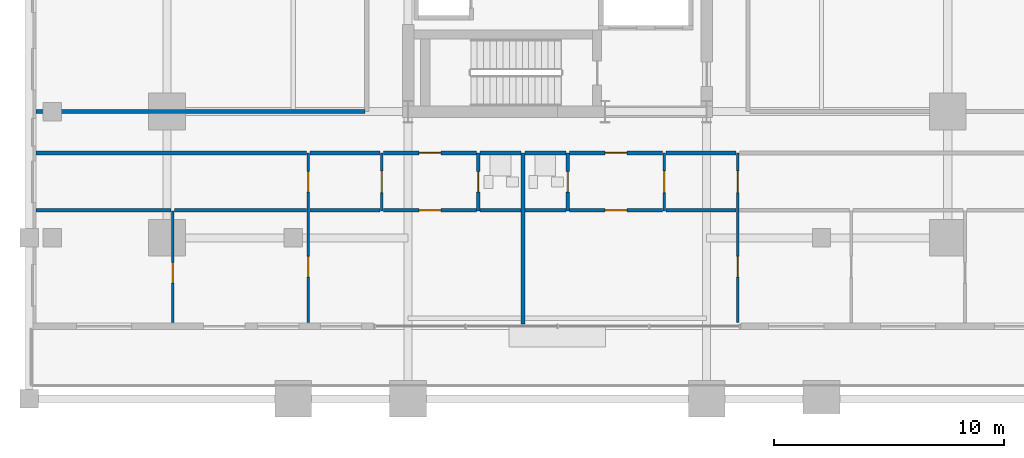
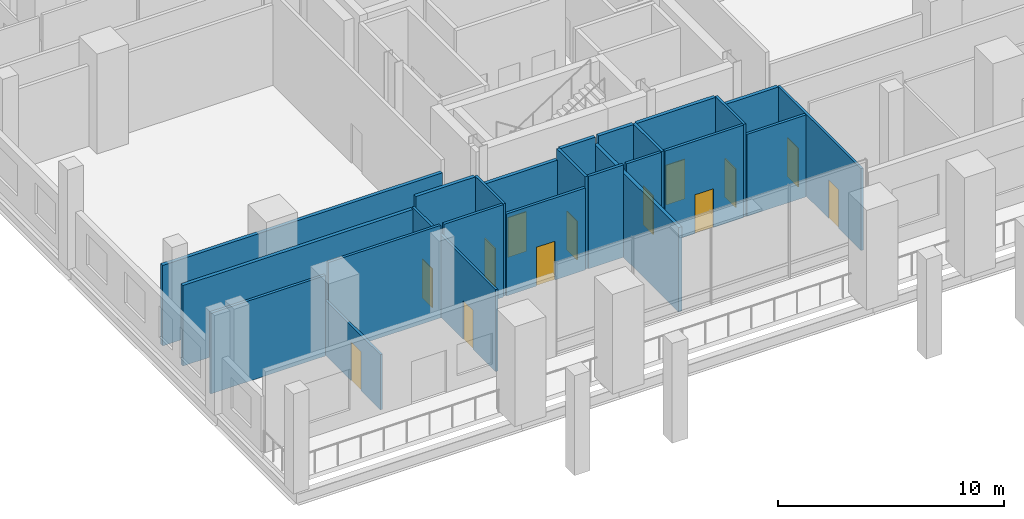
# One storey, part 16 of 25: 24 walls, 13 doors, 13 openings.
"""IFC4 building model written with IfcOpenShell, lengths in metres."""

from ifc_helpers import new_model, si_unit, direction, frame, frame_2d, origin, place, context, subcontext, project, spatial, rectangle, extrude, material, layer, layer_set, type_object, element, fill, save


model = new_model("IFC4")

# Units and contexts
model_context = context("Model", 3, precision=1e-05, world=origin(), true_north=direction((0.0, 1.0)))
body_context = subcontext(model_context, "Body", "Model", "MODEL_VIEW")
ifc_project = project(units=[si_unit("LENGTHUNIT", "METRE"), si_unit("AREAUNIT", "SQUARE_METRE"), si_unit("VOLUMEUNIT", "CUBIC_METRE"), si_unit("PLANEANGLEUNIT", "RADIAN"), si_unit("MASSUNIT", "GRAM", prefix="KILO")], contexts=[model_context])

# Site, building, storey
site_placement = place(None, origin())
site = spatial("IfcSite", under=ifc_project, at=site_placement, CompositionType="ELEMENT")
building_placement = place(site_placement, origin())
building = spatial("IfcBuilding", under=site, at=building_placement, Name="Barlavira Tower and Art Museum", CompositionType="ELEMENT")
storey_placement = place(building_placement, frame((0.0, 0.0, 22.199951171875)))
storey = spatial("IfcBuildingStorey", under=building, at=storey_placement, Name="L04", CompositionType="ELEMENT", Elevation=22.199951171875)

# Wall, opening, door
ifc_material_1 = material(Name="Gypsum acoustic stud partition", Category="gypsum")
ifc_layer_1 = layer(ifc_material_1, 0.1201171875, Name="Gypsum acoustic stud partition")
ifc_layer_set_1 = layer_set([ifc_layer_1], Name="Gypsum acoustic stud partition")
wall_type_1 = type_object("IfcWallType", Name="Apartment Internal Acoustic Partition 120", PredefinedType="PARTITIONING", material=ifc_layer_set_1)
wall_1_placement = place(storey_placement, frame((-16.75, -16.695068359375, 0.0), z_axis=(0.0, 0.0, 1.0), x_axis=(0.0, 1.0, 0.0)))
wall_1 = element("IfcWall", 1, at=wall_1_placement, inside=storey, type_object=wall_type_1, Name="L04 Partition Wall 2", PredefinedType="PARTITIONING", context=body_context, shape_type="SweptSolid", body=[
    extrude(rectangle(XDim=4.875, YDim=0.1201171875, at=frame_2d((2.4375, 0.0))), origin(), (0.0, 0.0, 1.0), 2.985107421875),
])
opening_1_placement = place(wall_1_placement, frame((1.720703125, 0.0, 0.0)))
opening_1 = element("IfcOpeningElement", 2, at=opening_1_placement, cuts=wall_1, Name="Opening D-01", PredefinedType="OPENING", context=body_context, shape_type="SweptSolid", body=[
    extrude(rectangle(XDim=0.89990234375, YDim=2.10009765625, at=frame_2d((0.449951171875, 1.050048828125))), frame((0.0, 0.070068359375, 0.0), z_axis=(0.0, -1.0, 0.0), x_axis=(1.0, 0.0, 0.0)), (0.0, 0.0, 1.0), 0.14013671875),
])
ifc_material_2 = material(Name="Engineered coastal hardwood", Category="wood")
door_type_1 = type_object("IfcDoorType", Name="Internal Bedroom Timber Flush Door 900x2100", OperationType="NOTDEFINED", PredefinedType="DOOR", material=ifc_material_2)
door_1_placement = place(opening_1_placement, origin())
door_1 = element("IfcDoor", 3, at=door_1_placement, inside=storey, type_object=door_type_1, Name="Apartment P4-SW Bedroom 2 Door", OperationType="SINGLE_SWING_RIGHT", OverallHeight=2.10009765625, OverallWidth=0.89990234375, PredefinedType="DOOR", context=body_context, shape_type="SweptSolid", body=[
    extrude(rectangle(XDim=0.89990234375, YDim=2.10009765625, at=frame_2d((0.449951171875, 1.050048828125))), frame((0.0, 0.02490234375, 0.0), z_axis=(0.0, -1.0, 0.0), x_axis=(1.0, 0.0, 0.0)), (0.0, 0.0, 1.0), 0.050048828125),
])
fill(opening_1, door_1)

# Wall, openings, doors
wall_2_placement = place(storey_placement, frame((-10.85009765625, -16.695068359375, 0.0), z_axis=(0.0, 0.0, 1.0), x_axis=(0.0, 1.0, 0.0)))
wall_2 = element("IfcWall", 4, at=wall_2_placement, inside=storey, type_object=wall_type_1, Name="L04 Partition Wall 4", PredefinedType="PARTITIONING", context=body_context, shape_type="SweptSolid", body=[
    extrude(rectangle(XDim=7.39501953125, YDim=0.1201171875, at=frame_2d((3.697509765625, 0.0))), origin(), (0.0, 0.0, 1.0), 4.43603515625),
])
opening_2_placement = place(wall_2_placement, frame((5.68505859375, 0.0, 0.0)))
opening_2 = element("IfcOpeningElement", 5, at=opening_2_placement, cuts=wall_2, Name="Opening D-01", PredefinedType="OPENING", context=body_context, shape_type="SweptSolid", body=[
    extrude(rectangle(XDim=0.89990234375, YDim=2.10009765625, at=frame_2d((0.449951171875, 1.050048828125))), frame((0.0, 0.070068359375, 0.0), z_axis=(0.0, -1.0, 0.0), x_axis=(1.0, 0.0, 0.0)), (0.0, 0.0, 1.0), 0.14013671875),
])
opening_3_placement = place(wall_2_placement, frame((1.985107421875, 0.0, 0.0)))
opening_3 = element("IfcOpeningElement", 6, at=opening_3_placement, cuts=wall_2, Name="Opening D-01", PredefinedType="OPENING", context=body_context, shape_type="SweptSolid", body=[
    extrude(rectangle(XDim=0.89990234375, YDim=2.10009765625, at=frame_2d((0.449951171875, 1.050048828125))), frame((0.0, 0.070068359375, 0.0), z_axis=(0.0, -1.0, 0.0), x_axis=(1.0, 0.0, 0.0)), (0.0, 0.0, 1.0), 0.14013671875),
])
door_2_placement = place(opening_2_placement, origin())
door_2 = element("IfcDoor", 7, at=door_2_placement, inside=storey, type_object=door_type_1, Name="Apartment P4-SW Walk-In Dressing Room Door", OperationType="SINGLE_SWING_LEFT", OverallHeight=2.10009765625, OverallWidth=0.89990234375, PredefinedType="DOOR", context=body_context, shape_type="SweptSolid", body=[
    extrude(rectangle(XDim=0.89990234375, YDim=2.10009765625, at=frame_2d((0.449951171875, 1.050048828125))), frame((0.0, 0.02490234375, 0.0), z_axis=(0.0, -1.0, 0.0), x_axis=(1.0, 0.0, 0.0)), (0.0, 0.0, 1.0), 0.050048828125),
])
fill(opening_2, door_2)
door_3_placement = place(opening_3_placement, origin())
door_3 = element("IfcDoor", 8, at=door_3_placement, inside=storey, type_object=door_type_1, Name="Apartment P4-SW Bedroom 1 Door", OperationType="SINGLE_SWING_LEFT", OverallHeight=2.10009765625, OverallWidth=0.89990234375, PredefinedType="DOOR", context=body_context, shape_type="SweptSolid", body=[
    extrude(rectangle(XDim=0.89990234375, YDim=2.10009765625, at=frame_2d((0.449951171875, 1.050048828125))), frame((0.0, 0.02490234375, 0.0), z_axis=(0.0, -1.0, 0.0), x_axis=(1.0, 0.0, 0.0)), (0.0, 0.0, 1.0), 0.050048828125),
])
fill(opening_3, door_3)

# Wall, opening, door
wall_3_placement = place(storey_placement, frame((-7.64990234375, -11.820068359375, 0.0), z_axis=(0.0, 0.0, 1.0), x_axis=(0.0, 1.0, 0.0)))
wall_3 = element("IfcWall", 9, at=wall_3_placement, inside=storey, type_object=wall_type_1, Name="L04 Partition Wall 7", PredefinedType="PARTITIONING", context=body_context, shape_type="SweptSolid", body=[
    extrude(rectangle(XDim=2.52001953125, YDim=0.1201171875, at=frame_2d((1.260009765625, 0.0))), origin(), (0.0, 0.0, 1.0), 5.0),
])
opening_4_placement = place(wall_3_placement, frame((0.784912109375, 0.0, 0.0)))
opening_4 = element("IfcOpeningElement", 10, at=opening_4_placement, cuts=wall_3, Name="Opening D-02", PredefinedType="OPENING", context=body_context, shape_type="SweptSolid", body=[
    extrude(rectangle(XDim=0.949951171875, YDim=2.10009765625, at=frame_2d((0.47509765625, 1.050048828125))), frame((0.0, 0.070068359375, 0.0), z_axis=(0.0, -1.0, 0.0), x_axis=(1.0, 0.0, 0.0)), (0.0, 0.0, 1.0), 0.14013671875),
])
door_type_2 = type_object("IfcDoorType", Name="Living and Salon Glazed-Leaf Door 950x2100", OperationType="NOTDEFINED", PredefinedType="DOOR", material=ifc_material_2)
door_4_placement = place(opening_4_placement, origin())
door_4 = element("IfcDoor", 11, at=door_4_placement, inside=storey, type_object=door_type_2, Name="Apartment P4-SW Kitchen Door", OperationType="SINGLE_SWING_RIGHT", OverallHeight=2.10009765625, OverallWidth=0.949951171875, PredefinedType="DOOR", context=body_context, shape_type="SweptSolid", body=[
    extrude(rectangle(XDim=0.949951171875, YDim=2.10009765625, at=frame_2d((0.47509765625, 1.050048828125))), frame((0.0, 0.02490234375, 0.0), z_axis=(0.0, -1.0, 0.0), x_axis=(1.0, 0.0, 0.0)), (0.0, 0.0, 1.0), 0.050048828125),
])
fill(opening_4, door_4)

wall_4_placement = place(storey_placement, frame((4.64990234375, -11.820068359375, 0.0), z_axis=(0.0, 0.0, 1.0), x_axis=(0.0, 1.0, 0.0)))
wall_4 = element("IfcWall", 12, at=wall_4_placement, inside=storey, type_object=wall_type_1, Name="L04 Partition Wall 15", PredefinedType="PARTITIONING", context=body_context, shape_type="SweptSolid", body=[
    extrude(rectangle(XDim=2.52001953125, YDim=0.1201171875, at=frame_2d((1.260009765625, 0.0))), origin(), (0.0, 0.0, 1.0), 5.0),
])
opening_5_placement = place(wall_4_placement, frame((0.784912109375, 0.0, 0.0)))
opening_5 = element("IfcOpeningElement", 13, at=opening_5_placement, cuts=wall_4, Name="Opening D-02", PredefinedType="OPENING", context=body_context, shape_type="SweptSolid", body=[
    extrude(rectangle(XDim=0.949951171875, YDim=2.10009765625, at=frame_2d((0.47509765625, 1.050048828125))), frame((0.0, 0.070068359375, 0.0), z_axis=(0.0, -1.0, 0.0), x_axis=(1.0, 0.0, 0.0)), (0.0, 0.0, 1.0), 0.14013671875),
])
door_5_placement = place(opening_5_placement, origin())
door_5 = element("IfcDoor", 14, at=door_5_placement, inside=storey, type_object=door_type_2, Name="Apartment P4-SE Kitchen Door", OperationType="SINGLE_SWING_LEFT", OverallHeight=2.10009765625, OverallWidth=0.949951171875, PredefinedType="DOOR", context=body_context, shape_type="SweptSolid", body=[
    extrude(rectangle(XDim=0.949951171875, YDim=2.10009765625, at=frame_2d((0.47509765625, 1.050048828125))), frame((0.0, 0.02490234375, 0.0), z_axis=(0.0, -1.0, 0.0), x_axis=(1.0, 0.0, 0.0)), (0.0, 0.0, 1.0), 0.050048828125),
])
fill(opening_5, door_5)

# Wall, openings, doors
wall_5_placement = place(storey_placement, frame((7.85009765625, -16.695068359375, 0.0), z_axis=(0.0, 0.0, 1.0), x_axis=(0.0, 1.0, 0.0)))
wall_5 = element("IfcWall", 15, at=wall_5_placement, inside=storey, type_object=wall_type_1, Name="L04 Partition Wall 16", PredefinedType="PARTITIONING", context=body_context, shape_type="SweptSolid", body=[
    extrude(rectangle(XDim=7.39501953125, YDim=0.1201171875, at=frame_2d((3.697509765625, 0.0))), origin(), (0.0, 0.0, 1.0), 4.43603515625),
])
opening_6_placement = place(wall_5_placement, frame((5.659912109375, 0.0, 0.0)))
opening_6 = element("IfcOpeningElement", 16, at=opening_6_placement, cuts=wall_5, Name="Opening D-02", PredefinedType="OPENING", context=body_context, shape_type="SweptSolid", body=[
    extrude(rectangle(XDim=0.949951171875, YDim=2.10009765625, at=frame_2d((0.47509765625, 1.050048828125))), frame((0.0, 0.070068359375, 0.0), z_axis=(0.0, -1.0, 0.0), x_axis=(1.0, 0.0, 0.0)), (0.0, 0.0, 1.0), 0.14013671875),
])
opening_7_placement = place(wall_5_placement, frame((1.985107421875, 0.0, 0.0)))
opening_7 = element("IfcOpeningElement", 17, at=opening_7_placement, cuts=wall_5, Name="Opening D-01", PredefinedType="OPENING", context=body_context, shape_type="SweptSolid", body=[
    extrude(rectangle(XDim=0.89990234375, YDim=2.10009765625, at=frame_2d((0.449951171875, 1.050048828125))), frame((0.0, 0.070068359375, 0.0), z_axis=(0.0, -1.0, 0.0), x_axis=(1.0, 0.0, 0.0)), (0.0, 0.0, 1.0), 0.14013671875),
])
door_6_placement = place(opening_7_placement, origin())
door_6 = element("IfcDoor", 18, at=door_6_placement, inside=storey, type_object=door_type_1, Name="Apartment P4-SE Bedroom 1 Door", OperationType="SINGLE_SWING_RIGHT", OverallHeight=2.10009765625, OverallWidth=0.89990234375, PredefinedType="DOOR", context=body_context, shape_type="SweptSolid", body=[
    extrude(rectangle(XDim=0.89990234375, YDim=2.10009765625, at=frame_2d((0.449951171875, 1.050048828125))), frame((0.0, 0.02490234375, 0.0), z_axis=(0.0, -1.0, 0.0), x_axis=(1.0, 0.0, 0.0)), (0.0, 0.0, 1.0), 0.050048828125),
])
fill(opening_7, door_6)
door_7_placement = place(opening_6_placement, origin())
door_7 = element("IfcDoor", 19, at=door_7_placement, inside=storey, type_object=door_type_2, Name="Apartment P4-SE Dining Salon Door", OperationType="SINGLE_SWING_RIGHT", OverallHeight=2.10009765625, OverallWidth=0.949951171875, PredefinedType="DOOR", context=body_context, shape_type="SweptSolid", body=[
    extrude(rectangle(XDim=0.949951171875, YDim=2.10009765625, at=frame_2d((0.47509765625, 1.050048828125))), frame((0.0, 0.02490234375, 0.0), z_axis=(0.0, -1.0, 0.0), x_axis=(1.0, 0.0, 0.0)), (0.0, 0.0, 1.0), 0.050048828125),
])
fill(opening_6, door_7)

# Walls
ifc_layer_2 = layer(ifc_material_1, 0.179931640625, Name="Gypsum acoustic stud partition")
ifc_layer_set_2 = layer_set([ifc_layer_2], Name="Gypsum acoustic stud partition")
wall_type_2 = type_object("IfcWallType", Name="Inter-Tenancy Party Partition Wall 180", PredefinedType="PARTITIONING", material=ifc_layer_set_2)
wall_6_placement = place(storey_placement, frame((-1.5, -16.7548828125, 0.0), z_axis=(0.0, 0.0, 1.0), x_axis=(0.0, 1.0, 0.0)))
element("IfcWall", 20, at=wall_6_placement, inside=storey, type_object=wall_type_2, Name="L04 Partition Wall 10", PredefinedType="PARTITIONING", context=body_context, shape_type="SweptSolid", body=[
    extrude(rectangle(XDim=7.454833984375, YDim=0.179931640625, at=frame_2d((3.7275390625, 0.0))), origin(), (0.0, 0.0, 1.0), 4.568115234375),
])
wall_7_placement = place(storey_placement, frame((-22.695068359375, -9.300048828125, 0.0), z_axis=(0.0, 0.0, 1.0), x_axis=(1.0, 0.0, 0.0)))
element("IfcWall", 21, at=wall_7_placement, inside=storey, type_object=wall_type_2, Name="L04 Partition Wall 39", PredefinedType="PARTITIONING", context=body_context, shape_type="SweptSolid", body=[
    extrude(rectangle(XDim=11.76513671875, YDim=0.179931640625, at=frame_2d((5.882568359375, 0.0))), origin(), (0.0, 0.0, 1.0), 4.35595703125),
])
wall_8_placement = place(storey_placement, frame((-10.77001953125, -9.300048828125, 0.0), z_axis=(0.0, 0.0, 1.0), x_axis=(1.0, 0.0, 0.0)))
element("IfcWall", 22, at=wall_8_placement, inside=storey, type_object=wall_type_2, Name="L04 Partition Wall 40", PredefinedType="PARTITIONING", context=body_context, shape_type="SweptSolid", body=[
    extrude(rectangle(XDim=3.0400390625, YDim=0.179931640625, at=frame_2d((1.52001953125, 0.0))), origin(), (0.0, 0.0, 1.0), 5.0),
])

# Wall, opening, door
wall_9_placement = place(storey_placement, frame((-7.570068359375, -9.300048828125, 0.0), z_axis=(0.0, 0.0, 1.0), x_axis=(1.0, 0.0, 0.0)))
wall_9 = element("IfcWall", 23, at=wall_9_placement, inside=storey, type_object=wall_type_2, Name="L04 Partition Wall 41", PredefinedType="PARTITIONING", context=body_context, shape_type="SweptSolid", body=[
    extrude(rectangle(XDim=4.0400390625, YDim=0.179931640625, at=frame_2d((2.02001953125, 0.0))), origin(), (0.0, 0.0, 1.0), 4.43603515625),
])
opening_8_placement = place(wall_9_placement, frame((1.544921875, 0.0, 0.0)))
opening_8 = element("IfcOpeningElement", 24, at=opening_8_placement, cuts=wall_9, Name="Opening FD-60", PredefinedType="OPENING", context=body_context, shape_type="SweptSolid", body=[
    extrude(rectangle(XDim=0.949951171875, YDim=2.14990234375, at=frame_2d((0.47509765625, 1.074951171875))), frame((0.0, 0.10009765625, 0.0), z_axis=(0.0, -1.0, 0.0), x_axis=(1.0, 0.0, 0.0)), (0.0, 0.0, 1.0), 0.199951171875),
])
ifc_material_3 = material(Name="Brushed stainless steel", Category="steel")
door_type_3 = type_object("IfcDoorType", Name="Apartment Entrance and Riser Fire Door 950x2150 FD60S", OperationType="NOTDEFINED", PredefinedType="DOOR", material=ifc_material_3)
door_8_placement = place(opening_8_placement, origin())
door_8 = element("IfcDoor", 25, at=door_8_placement, inside=storey, type_object=door_type_3, Name="Apartment Entrance Hall P4-SW Door", OperationType="SINGLE_SWING_LEFT", OverallHeight=2.14990234375, OverallWidth=0.949951171875, PredefinedType="DOOR", context=body_context, shape_type="SweptSolid", body=[
    extrude(rectangle(XDim=0.949951171875, YDim=2.14990234375, at=frame_2d((0.47509765625, 1.074951171875))), frame((0.0, 0.02490234375, 0.0), z_axis=(0.0, -1.0, 0.0), x_axis=(1.0, 0.0, 0.0)), (0.0, 0.0, 1.0), 0.050048828125),
])
fill(opening_8, door_8)

# Walls
for number, where, z_axis, x_axis, name in (
    (26, (-3.3701171875, -9.300048828125, 0.0), (0.0, 0.0, 1.0), (1.0, 0.0, 0.0), "L04 Partition Wall 42"),
    (27, (-1.419921875, -9.300048828125, 0.0), (0.0, 0.0, 1.0), (1.0, 0.0, 0.0), "L04 Partition Wall 43"),
):
    element("IfcWall", number, at=place(storey_placement, frame(where, z_axis=z_axis, x_axis=x_axis)), inside=storey, type_object=wall_type_2, Name=name, PredefinedType="PARTITIONING", context=body_context, shape_type="SweptSolid", body=[
        extrude(rectangle(XDim=1.7900390625, YDim=0.179931640625, at=frame_2d((0.89501953125, 0.0))), origin(), (0.0, 0.0, 1.0), 5.0),
    ])

# Wall, opening, door
wall_10_placement = place(storey_placement, frame((0.530029296875, -9.300048828125, 0.0), z_axis=(0.0, 0.0, 1.0), x_axis=(1.0, 0.0, 0.0)))
wall_10 = element("IfcWall", 28, at=wall_10_placement, inside=storey, type_object=wall_type_2, Name="L04 Partition Wall 44", PredefinedType="PARTITIONING", context=body_context, shape_type="SweptSolid", body=[
    extrude(rectangle(XDim=4.0400390625, YDim=0.179931640625, at=frame_2d((2.02001953125, 0.0))), origin(), (0.0, 0.0, 1.0), 5.0),
])
opening_9_placement = place(wall_10_placement, frame((1.544921875, 0.0, 0.0)))
opening_9 = element("IfcOpeningElement", 29, at=opening_9_placement, cuts=wall_10, Name="Opening FD-60", PredefinedType="OPENING", context=body_context, shape_type="SweptSolid", body=[
    extrude(rectangle(XDim=0.949951171875, YDim=2.14990234375, at=frame_2d((0.47509765625, 1.074951171875))), frame((0.0, 0.10009765625, 0.0), z_axis=(0.0, -1.0, 0.0), x_axis=(1.0, 0.0, 0.0)), (0.0, 0.0, 1.0), 0.199951171875),
])
door_9_placement = place(opening_9_placement, origin())
door_9 = element("IfcDoor", 30, at=door_9_placement, inside=storey, type_object=door_type_3, Name="Apartment Entrance Hall P4-SE Door", OperationType="SINGLE_SWING_RIGHT", OverallHeight=2.14990234375, OverallWidth=0.949951171875, PredefinedType="DOOR", context=body_context, shape_type="SweptSolid", body=[
    extrude(rectangle(XDim=0.949951171875, YDim=2.14990234375, at=frame_2d((0.47509765625, 1.074951171875))), frame((0.0, 0.02490234375, 0.0), z_axis=(0.0, -1.0, 0.0), x_axis=(1.0, 0.0, 0.0)), (0.0, 0.0, 1.0), 0.050048828125),
])
fill(opening_9, door_9)

# Walls
wall_11_placement = place(storey_placement, frame((4.72998046875, -9.300048828125, 0.0), z_axis=(0.0, 0.0, 1.0), x_axis=(1.0, 0.0, 0.0)))
element("IfcWall", 31, at=wall_11_placement, inside=storey, type_object=wall_type_2, Name="L04 Partition Wall 45", PredefinedType="PARTITIONING", context=body_context, shape_type="SweptSolid", body=[
    extrude(rectangle(XDim=3.0400390625, YDim=0.179931640625, at=frame_2d((1.52001953125, 0.0))), origin(), (0.0, 0.0, 1.0), 4.43603515625),
])
wall_12_placement = place(storey_placement, frame((-22.695068359375, -7.5, 0.0), z_axis=(0.0, 0.0, 1.0), x_axis=(1.0, 0.0, 0.0)))
element("IfcWall", 32, at=wall_12_placement, inside=storey, type_object=wall_type_2, Name="L04 Partition Wall 47", PredefinedType="PARTITIONING", context=body_context, shape_type="SweptSolid", body=[
    extrude(rectangle(XDim=14.315185546875, YDim=0.179931640625, at=frame_2d((7.15771484375, 0.0))), origin(), (0.0, 0.0, 1.0), 4.35595703125),
])

# Wall, opening, door
ifc_layer_3 = layer(ifc_material_1, 0.139892578125, Name="Gypsum acoustic stud partition")
ifc_layer_set_3 = layer_set([ifc_layer_3], Name="Gypsum acoustic stud partition")
wall_type_3 = type_object("IfcWallType", Name="Moisture-Resistant Bathroom Partition 140", PredefinedType="PARTITIONING", material=ifc_layer_set_3)
wall_13_placement = place(storey_placement, frame((-3.449951171875, -11.820068359375, 0.0), z_axis=(0.0, 0.0, 1.0), x_axis=(0.0, 1.0, 0.0)))
wall_13 = element("IfcWall", 33, at=wall_13_placement, inside=storey, type_object=wall_type_3, Name="L04 Partition Wall 9", PredefinedType="PARTITIONING", context=body_context, shape_type="SweptSolid", body=[
    extrude(rectangle(XDim=2.52001953125, YDim=0.139892578125, at=frame_2d((1.260009765625, 0.0))), origin(), (0.0, 0.0, 1.0), 5.0),
])
opening_10_placement = place(wall_13_placement, frame((0.81005859375, 0.0, 0.0)))
opening_10 = element("IfcOpeningElement", 34, at=opening_10_placement, cuts=wall_13, Name="Opening D-WC", PredefinedType="OPENING", context=body_context, shape_type="SweptSolid", body=[
    extrude(rectangle(XDim=0.89990234375, YDim=2.10009765625, at=frame_2d((0.449951171875, 1.050048828125))), frame((0.0, 0.080078125, 0.0), z_axis=(0.0, -1.0, 0.0), x_axis=(1.0, 0.0, 0.0)), (0.0, 0.0, 1.0), 0.159912109375),
])
door_type_4 = type_object("IfcDoorType", Name="Accessible Bathroom Flush Door 900x2100", OperationType="NOTDEFINED", PredefinedType="DOOR", material=ifc_material_2)
door_10_placement = place(opening_10_placement, origin())
door_10 = element("IfcDoor", 35, at=door_10_placement, inside=storey, type_object=door_type_4, Name="Apartment P4-SW Hall Bathroom Door", OperationType="SINGLE_SWING_RIGHT", OverallHeight=2.10009765625, OverallWidth=0.89990234375, PredefinedType="DOOR", context=body_context, shape_type="SweptSolid", body=[
    extrude(rectangle(XDim=0.89990234375, YDim=2.10009765625, at=frame_2d((0.449951171875, 1.050048828125))), frame((0.0, 0.02490234375, 0.0), z_axis=(0.0, -1.0, 0.0), x_axis=(1.0, 0.0, 0.0)), (0.0, 0.0, 1.0), 0.050048828125),
])
fill(opening_10, door_10)

wall_14_placement = place(storey_placement, frame((0.449951171875, -11.820068359375, 0.0), z_axis=(0.0, 0.0, 1.0), x_axis=(0.0, 1.0, 0.0)))
wall_14 = element("IfcWall", 36, at=wall_14_placement, inside=storey, type_object=wall_type_3, Name="L04 Partition Wall 12", PredefinedType="PARTITIONING", context=body_context, shape_type="SweptSolid", body=[
    extrude(rectangle(XDim=2.52001953125, YDim=0.139892578125, at=frame_2d((1.260009765625, 0.0))), origin(), (0.0, 0.0, 1.0), 5.0),
])
opening_11_placement = place(wall_14_placement, frame((0.81005859375, 0.0, 0.0)))
opening_11 = element("IfcOpeningElement", 37, at=opening_11_placement, cuts=wall_14, Name="Opening D-WC", PredefinedType="OPENING", context=body_context, shape_type="SweptSolid", body=[
    extrude(rectangle(XDim=0.89990234375, YDim=2.10009765625, at=frame_2d((0.449951171875, 1.050048828125))), frame((0.0, 0.080078125, 0.0), z_axis=(0.0, -1.0, 0.0), x_axis=(1.0, 0.0, 0.0)), (0.0, 0.0, 1.0), 0.159912109375),
])
door_11_placement = place(opening_11_placement, origin())
door_11 = element("IfcDoor", 38, at=door_11_placement, inside=storey, type_object=door_type_4, Name="Apartment P4-SE Hall Bathroom Door", OperationType="SINGLE_SWING_LEFT", OverallHeight=2.10009765625, OverallWidth=0.89990234375, PredefinedType="DOOR", context=body_context, shape_type="SweptSolid", body=[
    extrude(rectangle(XDim=0.89990234375, YDim=2.10009765625, at=frame_2d((0.449951171875, 1.050048828125))), frame((0.0, 0.02490234375, 0.0), z_axis=(0.0, -1.0, 0.0), x_axis=(1.0, 0.0, 0.0)), (0.0, 0.0, 1.0), 0.050048828125),
])
fill(opening_11, door_11)

# Walls
wall_15_placement = place(storey_placement, frame((-22.695068359375, -11.800048828125, 0.0), z_axis=(0.0, 0.0, 1.0), x_axis=(1.0, 0.0, 0.0)))
element("IfcWall", 39, at=wall_15_placement, inside=storey, type_object=wall_type_3, Name="L04 Partition Wall 27", PredefinedType="PARTITIONING", context=body_context, shape_type="SweptSolid", body=[
    extrude(rectangle(XDim=5.864990234375, YDim=0.139892578125, at=frame_2d((2.9326171875, 0.0))), origin(), (0.0, 0.0, 1.0), 4.35595703125),
])
wall_16_placement = place(storey_placement, frame((-16.669921875, -11.800048828125, 0.0), z_axis=(0.0, 0.0, 1.0), x_axis=(1.0, 0.0, 0.0)))
element("IfcWall", 40, at=wall_16_placement, inside=storey, type_object=wall_type_3, Name="L04 Partition Wall 28", PredefinedType="PARTITIONING", context=body_context, shape_type="SweptSolid", body=[
    extrude(rectangle(XDim=5.739990234375, YDim=0.139892578125, at=frame_2d((2.8701171875, 0.0))), origin(), (0.0, 0.0, 1.0), 5.0),
])
wall_17_placement = place(storey_placement, frame((-10.77001953125, -11.800048828125, 0.0), z_axis=(0.0, 0.0, 1.0), x_axis=(1.0, 0.0, 0.0)))
element("IfcWall", 41, at=wall_17_placement, inside=storey, type_object=wall_type_3, Name="L04 Partition Wall 29", PredefinedType="PARTITIONING", context=body_context, shape_type="SweptSolid", body=[
    extrude(rectangle(XDim=3.0400390625, YDim=0.139892578125, at=frame_2d((1.52001953125, 0.0))), origin(), (0.0, 0.0, 1.0), 5.0),
])

# Wall, opening, door
wall_18_placement = place(storey_placement, frame((-7.570068359375, -11.800048828125, 0.0), z_axis=(0.0, 0.0, 1.0), x_axis=(1.0, 0.0, 0.0)))
wall_18 = element("IfcWall", 42, at=wall_18_placement, inside=storey, type_object=wall_type_3, Name="L04 Partition Wall 30", PredefinedType="PARTITIONING", context=body_context, shape_type="SweptSolid", body=[
    extrude(rectangle(XDim=4.0400390625, YDim=0.139892578125, at=frame_2d((2.02001953125, 0.0))), origin(), (0.0, 0.0, 1.0), 4.43603515625),
])
opening_12_placement = place(wall_18_placement, frame((1.544921875, 0.0, 0.0)))
opening_12 = element("IfcOpeningElement", 43, at=opening_12_placement, cuts=wall_18, Name="Opening D-02", PredefinedType="OPENING", context=body_context, shape_type="SweptSolid", body=[
    extrude(rectangle(XDim=0.949951171875, YDim=2.10009765625, at=frame_2d((0.47509765625, 1.050048828125))), frame((0.0, 0.080078125, 0.0), z_axis=(0.0, -1.0, 0.0), x_axis=(1.0, 0.0, 0.0)), (0.0, 0.0, 1.0), 0.159912109375),
])
door_12_placement = place(opening_12_placement, origin())
door_12 = element("IfcDoor", 44, at=door_12_placement, inside=storey, type_object=door_type_2, Name="Apartment P4-SW Living Lounge Door", OperationType="SINGLE_SWING_RIGHT", OverallHeight=2.10009765625, OverallWidth=0.949951171875, PredefinedType="DOOR", context=body_context, shape_type="SweptSolid", body=[
    extrude(rectangle(XDim=0.949951171875, YDim=2.10009765625, at=frame_2d((0.47509765625, 1.050048828125))), frame((0.0, 0.02490234375, 0.0), z_axis=(0.0, -1.0, 0.0), x_axis=(1.0, 0.0, 0.0)), (0.0, 0.0, 1.0), 0.050048828125),
])
fill(opening_12, door_12)

# Walls
for number, where, z_axis, x_axis, name in (
    (45, (-3.3701171875, -11.800048828125, 0.0), (0.0, 0.0, 1.0), (1.0, 0.0, 0.0), "L04 Partition Wall 31"),
    (46, (-1.419921875, -11.800048828125, 0.0), (0.0, 0.0, 1.0), (1.0, 0.0, 0.0), "L04 Partition Wall 32"),
):
    element("IfcWall", number, at=place(storey_placement, frame(where, z_axis=z_axis, x_axis=x_axis)), inside=storey, type_object=wall_type_3, Name=name, PredefinedType="PARTITIONING", context=body_context, shape_type="SweptSolid", body=[
        extrude(rectangle(XDim=1.7900390625, YDim=0.139892578125, at=frame_2d((0.89501953125, 0.0))), origin(), (0.0, 0.0, 1.0), 5.0),
    ])

# Wall, opening, door
wall_19_placement = place(storey_placement, frame((0.530029296875, -11.800048828125, 0.0), z_axis=(0.0, 0.0, 1.0), x_axis=(1.0, 0.0, 0.0)))
wall_19 = element("IfcWall", 47, at=wall_19_placement, inside=storey, type_object=wall_type_3, Name="L04 Partition Wall 33", PredefinedType="PARTITIONING", context=body_context, shape_type="SweptSolid", body=[
    extrude(rectangle(XDim=4.0400390625, YDim=0.139892578125, at=frame_2d((2.02001953125, 0.0))), origin(), (0.0, 0.0, 1.0), 5.0),
])
opening_13_placement = place(wall_19_placement, frame((1.544921875, 0.0, 0.0)))
opening_13 = element("IfcOpeningElement", 48, at=opening_13_placement, cuts=wall_19, Name="Opening D-02", PredefinedType="OPENING", context=body_context, shape_type="SweptSolid", body=[
    extrude(rectangle(XDim=0.949951171875, YDim=2.10009765625, at=frame_2d((0.47509765625, 1.050048828125))), frame((0.0, 0.080078125, 0.0), z_axis=(0.0, -1.0, 0.0), x_axis=(1.0, 0.0, 0.0)), (0.0, 0.0, 1.0), 0.159912109375),
])
door_13_placement = place(opening_13_placement, origin())
door_13 = element("IfcDoor", 49, at=door_13_placement, inside=storey, type_object=door_type_2, Name="Apartment P4-SE Living Lounge Door", OperationType="SINGLE_SWING_LEFT", OverallHeight=2.10009765625, OverallWidth=0.949951171875, PredefinedType="DOOR", context=body_context, shape_type="SweptSolid", body=[
    extrude(rectangle(XDim=0.949951171875, YDim=2.10009765625, at=frame_2d((0.47509765625, 1.050048828125))), frame((0.0, 0.02490234375, 0.0), z_axis=(0.0, -1.0, 0.0), x_axis=(1.0, 0.0, 0.0)), (0.0, 0.0, 1.0), 0.050048828125),
])
fill(opening_13, door_13)

# Wall
wall_20_placement = place(storey_placement, frame((4.72998046875, -11.800048828125, 0.0), z_axis=(0.0, 0.0, 1.0), x_axis=(1.0, 0.0, 0.0)))
element("IfcWall", 50, at=wall_20_placement, inside=storey, type_object=wall_type_3, Name="L04 Partition Wall 34", PredefinedType="PARTITIONING", context=body_context, shape_type="SweptSolid", body=[
    extrude(rectangle(XDim=3.0400390625, YDim=0.139892578125, at=frame_2d((1.52001953125, 0.0))), origin(), (0.0, 0.0, 1.0), 4.43603515625),
])

save(model, "model.ifc")
